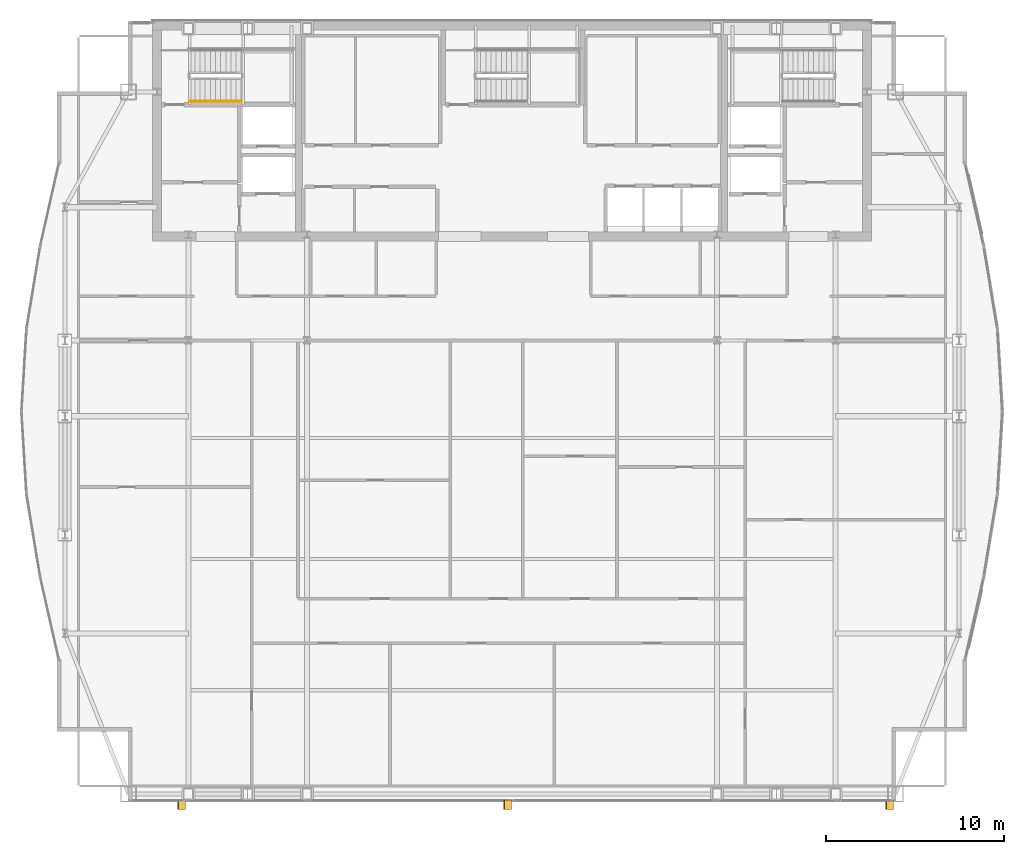
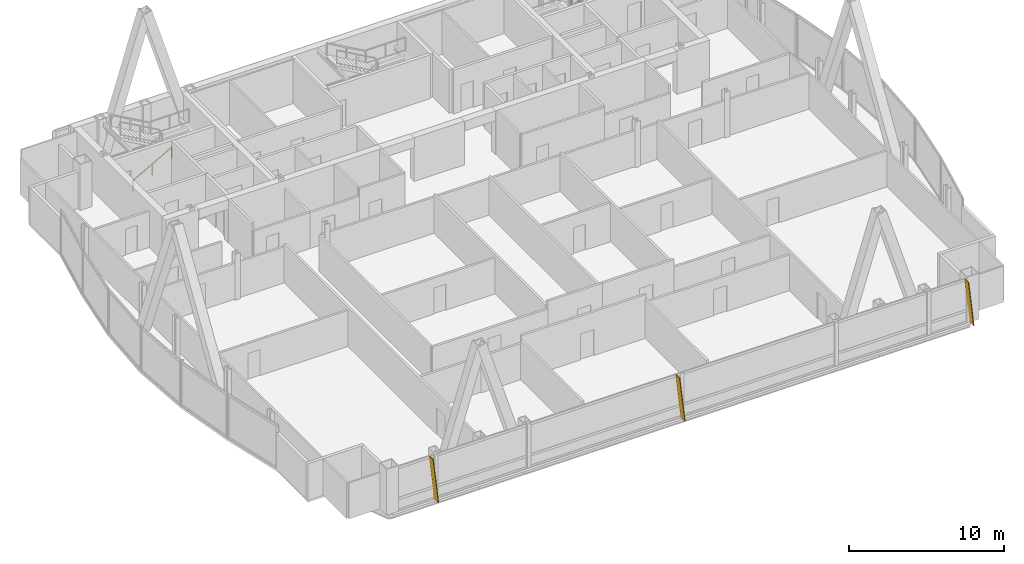
# One storey, part 30 of 31: 3 shading devices, 1 railing.
"""IFC4 building model written with IfcOpenShell, lengths in metres."""

from ifc_helpers import new_model, si_unit, direction, frame, origin, origin_2d, place, context, subcontext, project, spatial, polyline, rectangle, outline, extrude, material, layer, layer_set, type_object, element, save


model = new_model("IFC4")

# Units and contexts
model_context = context("Model", 3, precision=1e-05, world=origin(), true_north=direction((0.0, 1.0)))
body_context = subcontext(model_context, "Body", "Model", "MODEL_VIEW")
ifc_project = project(units=[si_unit("LENGTHUNIT", "METRE"), si_unit("AREAUNIT", "SQUARE_METRE"), si_unit("VOLUMEUNIT", "CUBIC_METRE"), si_unit("PLANEANGLEUNIT", "RADIAN"), si_unit("MASSUNIT", "GRAM", prefix="KILO")], contexts=[model_context])

# Site, building, storey
site_placement = place(None, origin())
site = spatial("IfcSite", under=ifc_project, at=site_placement, CompositionType="ELEMENT")
building_placement = place(site_placement, origin())
building = spatial("IfcBuilding", under=site, at=building_placement, Name="Khoronbel Lancet Exchange", CompositionType="ELEMENT")
storey_placement = place(building_placement, frame((0.0, 0.0, 325.39990234375)))
storey = spatial("IfcBuildingStorey", under=building, at=storey_placement, Name="L84", CompositionType="ELEMENT", Elevation=325.39990234375)

# Railing
ifc_material_1 = material(Name="Brushed Stainless Steel 316", Category="steel")
railing_type = type_object("IfcRailingType", Name="RL-STH92", PredefinedType="HANDRAIL", material=ifc_material_1)
railing_placement = place(storey_placement, frame((18.300048828125, 49.169921875, 0.163818359375)))
element("IfcRailing", 1, at=railing_placement, inside=storey, type_object=railing_type, Name="L84 ST1 stair handrail 1", PredefinedType="HANDRAIL", context=body_context, shape_type="SweptSolid", body=[
    extrude(rectangle(XDim=0.048095703125, YDim=0.048095703125, at=origin_2d()), frame((0.0, 0.0, 0.8759765625), z_axis=(0.870928581787, 0.0, 0.491409610636), x_axis=(0.0, 1.0, 0.0)), (0.0, 0.0, 1.0), 3.32958984375),
    extrude(rectangle(XDim=0.0419921875, YDim=0.0419921875, at=origin_2d()), origin(), (0.0, 0.0, 1.0), 0.851806640625),
    extrude(rectangle(XDim=0.0419921875, YDim=0.0419921875, at=origin_2d()), frame((1.449951171875, 0.0, 0.818115234375)), (0.0, 0.0, 1.0), 0.851806640625),
    extrude(rectangle(XDim=0.0419921875, YDim=0.0419921875, at=origin_2d()), frame((2.89990234375, 0.0, 1.63623046875)), (0.0, 0.0, 1.0), 0.851806640625),
])

# Shading devices
ifc_material_2 = material(Name="Bronze-Anodised Aluminium 6063-T6", Category="aluminium")
ifc_layer = layer(ifc_material_2, 0.054931640625, Name="Bronze-Anodised Aluminium 6063-T6")
ifc_layer_set = layer_set([ifc_layer], Name="Bronze-Anodised Aluminium 6063-T6")
shading_device_type = type_object("IfcShadingDeviceType", Name="SHD-FIN1", PredefinedType="USERDEFINED", material=ifc_layer_set)
for number, where, z_axis, x_axis, name in (
    (2, (18.072509765625, 9.81005859375, -0.079833984375), (0.99389951861, 0.0, 0.110289378034), (0.0, -1.0, 0.0), "Slanted bronze solar fin CW-L84-SWV-1"),
    (3, (36.422607421875, 9.81005859375, -0.079833984375), (0.99389951861, 0.0, 0.110289378034), (0.0, -1.0, 0.0), "Slanted bronze solar fin CW-L84-SCV-1"),
    (4, (57.9326171875, 9.81005859375, -0.079833984375), (0.99389951861, 0.0, 0.110289378034), (0.0, -1.0, 0.0), "Slanted bronze solar fin CW-L84-SEV-1"),
):
    element("IfcShadingDevice", number, at=place(storey_placement, frame(where, z_axis=z_axis, x_axis=x_axis)), inside=storey, type_object=shading_device_type, Name=name, ObjectType="FIN", PredefinedType="USERDEFINED", context=body_context, shape_type="SweptSolid", body=[
        extrude(outline(polyline([(0.0, 0.0), (0.52001953125, 0.0), (0.52001953125, -3.58154296875), (0.0, -3.58154296875), (0.0, 0.0)])), origin(), (0.0, 0.0, -1.0), 0.054931640625),
    ])

save(model, "model.ifc")
